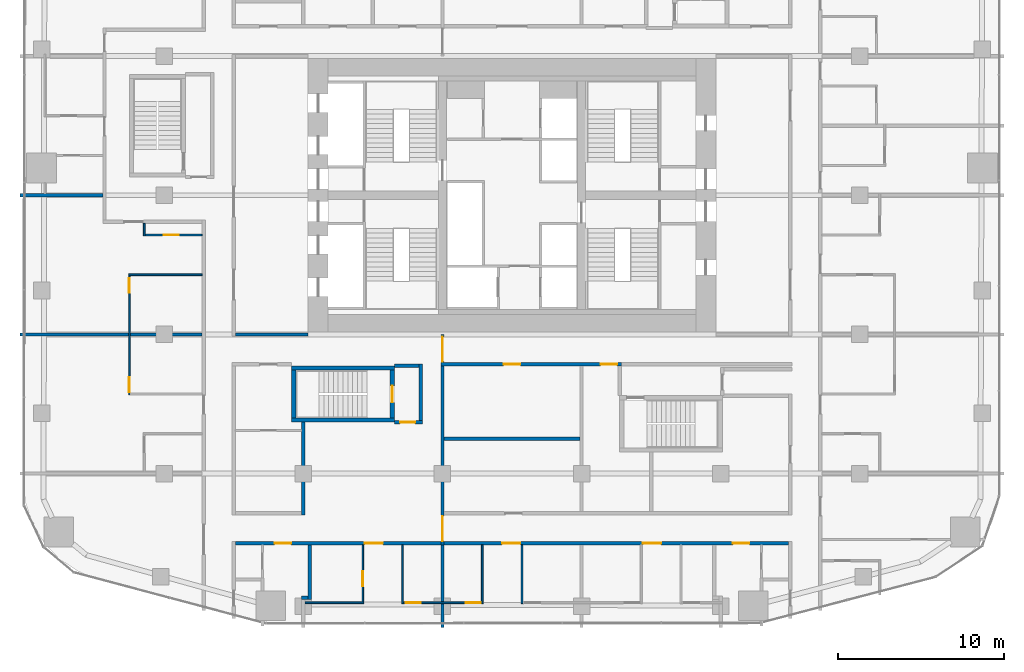
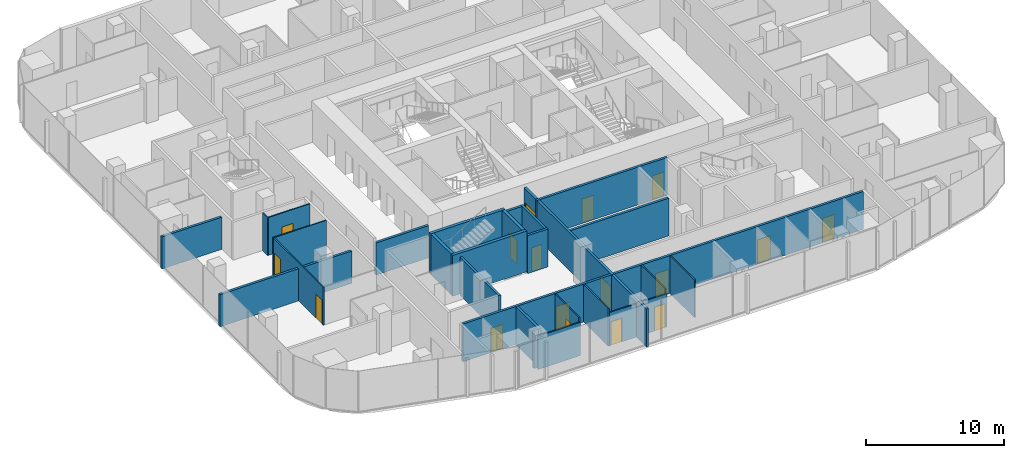
# One storey, part 16 of 25: 28 walls, 17 doors, 17 openings.
"""IFC4 building model written with IfcOpenShell, lengths in metres."""

from ifc_helpers import new_model, si_unit, direction, frame, frame_2d, origin, place, context, subcontext, project, spatial, rectangle, extrude, material, layer, layer_set, type_object, element, fill, save


model = new_model("IFC4")

# Units and contexts
model_context = context("Model", 3, precision=1e-05, world=origin(), true_north=direction((0.0, 1.0)))
body_context = subcontext(model_context, "Body", "Model", "MODEL_VIEW")
ifc_project = project(units=[si_unit("LENGTHUNIT", "METRE"), si_unit("AREAUNIT", "SQUARE_METRE"), si_unit("VOLUMEUNIT", "CUBIC_METRE"), si_unit("PLANEANGLEUNIT", "RADIAN"), si_unit("MASSUNIT", "GRAM", prefix="KILO")], contexts=[model_context])

# Site, building, storey
site_placement = place(None, origin())
site = spatial("IfcSite", under=ifc_project, at=site_placement, CompositionType="ELEMENT")
building_placement = place(site_placement, origin())
building = spatial("IfcBuilding", under=site, at=building_placement, Name="Marenta Gate Hotel Tower", CompositionType="ELEMENT")
storey_placement = place(building_placement, frame((0.0, 0.0, 50.89990234375)))
storey = spatial("IfcBuildingStorey", under=building, at=storey_placement, Name="L10", CompositionType="ELEMENT", Elevation=50.89990234375)

# Wall
ifc_material_1 = material(Name="Concrete blockwork", Category="masonry")
ifc_layer_1 = layer(ifc_material_1, 0.199951171875)
ifc_layer_set_1 = layer_set([ifc_layer_1], Name="Concrete blockwork")
wall_type_1 = type_object("IfcWallType", Name="Compartment wall 200 REI 180", PredefinedType="PARTITIONING", material=ifc_layer_set_1)
wall_1_placement = place(storey_placement, frame((-4.199951171875, -17.699951171875, 0.0), z_axis=(0.0, 0.0, 1.0), x_axis=(0.0, 1.0, 0.0)))
element("IfcWall", 1, at=wall_1_placement, inside=storey, type_object=wall_type_1, Name="L10-PTN-W068", PredefinedType="PARTITIONING", context=body_context, shape_type="SweptSolid", body=[
    extrude(rectangle(XDim=5.0, YDim=0.199951171875, at=frame_2d((2.5, 0.0))), origin(), (0.0, 0.0, 1.0), 3.340087890625),
])

# Wall, openings, doors
wall_2_placement = place(storey_placement, frame((-4.199951171875, -12.699951171875, 0.0), z_axis=(0.0, 0.0, 1.0), x_axis=(0.0, 1.0, 0.0)))
wall_2 = element("IfcWall", 2, at=wall_2_placement, inside=storey, type_object=wall_type_1, Name="L10-PTN-W071", PredefinedType="PARTITIONING", context=body_context, shape_type="SweptSolid", body=[
    extrude(rectangle(XDim=12.699951171875, YDim=0.199951171875, at=frame_2d((6.35009765625, 0.0))), origin(), (0.0, 0.0, 1.0), 3.340087890625),
])
opening_1_placement = place(wall_2_placement, frame((11.050048828125, 0.0, 0.0)))
opening_1 = element("IfcOpeningElement", 3, at=opening_1_placement, cuts=wall_2, Name="Opening G03-FD3", PredefinedType="OPENING", context=body_context, shape_type="SweptSolid", body=[
    extrude(rectangle(XDim=1.5, YDim=2.10009765625, at=frame_2d((0.75, 1.050048828125))), frame((0.0, 0.10009765625, 0.0), z_axis=(0.0, -1.0, 0.0), x_axis=(1.0, 0.0, 0.0)), (0.0, 0.0, 1.0), 0.199951171875),
])
opening_2_placement = place(wall_2_placement, frame((0.22509765625, 0.0, 0.0)))
opening_2 = element("IfcOpeningElement", 4, at=opening_2_placement, cuts=wall_2, Name="Opening G03-FD4", PredefinedType="OPENING", context=body_context, shape_type="SweptSolid", body=[
    extrude(rectangle(XDim=1.5, YDim=2.10009765625, at=frame_2d((0.75, 1.050048828125))), frame((0.0, 0.10009765625, 0.0), z_axis=(0.0, -1.0, 0.0), x_axis=(1.0, 0.0, 0.0)), (0.0, 0.0, 1.0), 0.199951171875),
])
ifc_material_2 = material(Name="Hollow steel door set", Category="steel")
door_type_1 = type_object("IfcDoorType", Name="Compartment fire door 1500x2100 EI 60", OperationType="DOUBLE_DOOR_DOUBLE_SWING", PredefinedType="DOOR", material=ifc_material_2)
door_1_placement = place(opening_1_placement, origin())
door_1 = element("IfcDoor", 5, at=door_1_placement, inside=storey, type_object=door_type_1, Name="L10-PD-FD03", OperationType="DOUBLE_DOOR_DOUBLE_SWING", OverallHeight=2.10009765625, OverallWidth=1.5, PredefinedType="DOOR", context=body_context, shape_type="SweptSolid", body=[
    extrude(rectangle(XDim=1.5, YDim=2.10009765625, at=frame_2d((0.75, 1.050048828125))), frame((0.0, 0.02490234375, 0.0), z_axis=(0.0, -1.0, 0.0), x_axis=(1.0, 0.0, 0.0)), (0.0, 0.0, 1.0), 0.050048828125),
])
fill(opening_1, door_1)
door_2_placement = place(opening_2_placement, origin())
door_2 = element("IfcDoor", 6, at=door_2_placement, inside=storey, type_object=door_type_1, Name="L10-PD-FD04", OperationType="DOUBLE_DOOR_DOUBLE_SWING", OverallHeight=2.10009765625, OverallWidth=1.5, PredefinedType="DOOR", context=body_context, shape_type="SweptSolid", body=[
    extrude(rectangle(XDim=1.5, YDim=2.10009765625, at=frame_2d((0.75, 1.050048828125))), frame((0.0, 0.02490234375, 0.0), z_axis=(0.0, -1.0, 0.0), x_axis=(1.0, 0.0, 0.0)), (0.0, 0.0, 1.0), 0.050048828125),
])
fill(opening_2, door_2)

# Walls
ifc_material_3 = material(Name="Concrete blockwork", Category="masonry")
ifc_layer_2 = layer(ifc_material_3, 0.199951171875)
ifc_layer_set_2 = layer_set([ifc_layer_2], Name="Concrete blockwork")
wall_type_2 = type_object("IfcWallType", Name="Core boundary wall 200 REI 180", PredefinedType="PARTITIONING", material=ifc_layer_set_2)
wall_3_placement = place(storey_placement, frame((-16.699951171875, 0.0, 0.0), z_axis=(0.0, 0.0, 1.0), x_axis=(1.0, 0.0, 0.0)))
element("IfcWall", 7, at=wall_3_placement, inside=storey, type_object=wall_type_2, Name="L10-CP-EW-WS", PredefinedType="PARTITIONING", context=body_context, shape_type="SweptSolid", body=[
    extrude(rectangle(XDim=4.39990234375, YDim=0.199951171875, at=frame_2d((2.199951171875, 0.0))), origin(), (0.0, 0.0, 1.0), 2.840087890625),
])
ifc_material_4 = material(Name="Concrete C40", Category="concrete")
ifc_layer_3 = layer(ifc_material_4, 0.25)
ifc_layer_set_3 = layer_set([ifc_layer_3], Name="Concrete C40")
wall_type_3 = type_object("IfcWallType", Name="Remote stair enclosure wall 250 REI 180", PredefinedType="SHEAR", material=ifc_layer_set_3)
for number, where, z_axis, x_axis, name in (
    (8, (-13.300048828125, -5.175048828125, 0.10009765625), (0.0, 0.0, 1.0), (1.0, 0.0, 0.0), "L10-RS-Z1-2-W1"),
    (9, (-13.300048828125, -2.02490234375, 0.10009765625), (0.0, 0.0, 1.0), (1.0, 0.0, 0.0), "L10-RS-Z1-2-W2"),
):
    element("IfcWall", number, at=place(storey_placement, frame(where, z_axis=z_axis, x_axis=x_axis)), inside=storey, type_object=wall_type_3, Name=name, PredefinedType="SHEAR", context=body_context, shape_type="SweptSolid", body=[
        extrude(rectangle(XDim=6.199951171875, YDim=0.25, at=frame_2d((3.10009765625, 0.0))), origin(), (0.0, 0.0, 1.0), 3.60009765625),
    ])
wall_4_placement = place(storey_placement, frame((-13.175048828125, -5.050048828125, 0.10009765625), z_axis=(0.0, 0.0, 1.0), x_axis=(0.0, 1.0, 0.0)))
element("IfcWall", 10, at=wall_4_placement, inside=storey, type_object=wall_type_3, Name="L10-RS-Z1-2-W3", PredefinedType="SHEAR", context=body_context, shape_type="SweptSolid", body=[
    extrude(rectangle(XDim=2.900146484375, YDim=0.25, at=frame_2d((1.4501953125, 0.0))), origin(), (0.0, 0.0, 1.0), 3.60009765625),
])

# Wall, opening, door
wall_5_placement = place(storey_placement, frame((-7.22509765625, -5.050048828125, 0.10009765625), z_axis=(0.0, 0.0, 1.0), x_axis=(0.0, 1.0, 0.0)))
wall_5 = element("IfcWall", 11, at=wall_5_placement, inside=storey, type_object=wall_type_3, Name="L10-RS-Z1-2-W4", PredefinedType="SHEAR", context=body_context, shape_type="SweptSolid", body=[
    extrude(rectangle(XDim=2.900146484375, YDim=0.25, at=frame_2d((1.4501953125, 0.0))), origin(), (0.0, 0.0, 1.0), 3.60009765625),
])
opening_3_placement = place(wall_5_placement, frame((0.949951171875, 0.0, 0.0)))
opening_3 = element("IfcOpeningElement", 12, at=opening_3_placement, cuts=wall_5, Name="Opening VD", PredefinedType="OPENING", context=body_context, shape_type="SweptSolid", body=[
    extrude(rectangle(XDim=1.0, YDim=2.10009765625, at=frame_2d((0.5, 1.050048828125))), frame((0.0, 0.125, 0.0), z_axis=(0.0, -1.0, 0.0), x_axis=(1.0, 0.0, 0.0)), (0.0, 0.0, 1.0), 0.25),
])
ifc_material_5 = material(Name="Steel", Category="steel")
door_type_2 = type_object("IfcDoorType", Name="Stair vestibule door 1000x2100 FD60", OperationType="SINGLE_SWING_LEFT", PredefinedType="DOOR", material=ifc_material_5)
door_3_placement = place(opening_3_placement, origin())
door_3 = element("IfcDoor", 13, at=door_3_placement, inside=storey, type_object=door_type_2, Name="VD", OperationType="SINGLE_SWING_LEFT", OverallHeight=2.10009765625, OverallWidth=1.0, PredefinedType="DOOR", context=body_context, shape_type="SweptSolid", body=[
    extrude(rectangle(XDim=1.0, YDim=2.10009765625, at=frame_2d((0.5, 1.050048828125))), frame((0.0, 0.02490234375, 0.0), z_axis=(0.0, -1.0, 0.0), x_axis=(1.0, 0.0, 0.0)), (0.0, 0.0, 1.0), 0.050048828125),
])
fill(opening_3, door_3)

# Wall, openings, doors
ifc_material_6 = material(Name="Gypsum board on steel stud", Category="steel")
ifc_layer_4 = layer(ifc_material_6, 0.199951171875)
ifc_layer_set_4 = layer_set([ifc_layer_4], Name="Gypsum board on steel stud")
wall_type_4 = type_object("IfcWallType", Name="Room corridor wall 200 EI 60", PredefinedType="PARTITIONING", material=ifc_layer_set_4)
wall_6_placement = place(storey_placement, frame((-16.699951171875, -12.60009765625, 0.0), z_axis=(0.0, 0.0, 1.0), x_axis=(1.0, 0.0, 0.0)))
wall_6 = element("IfcWall", 14, at=wall_6_placement, inside=storey, type_object=wall_type_4, Name="L10-PTN-W028", PredefinedType="PARTITIONING", context=body_context, shape_type="SweptSolid", body=[
    extrude(rectangle(XDim=33.39990234375, YDim=0.199951171875, at=frame_2d((16.699951171875, 0.0))), origin(), (0.0, 0.0, 1.0), 3.340087890625),
])
opening_4_placement = place(wall_6_placement, frame((7.800048828125, 0.0, 0.0)))
opening_4 = element("IfcOpeningElement", 15, at=opening_4_placement, cuts=wall_6, Name="Opening G03-36", PredefinedType="OPENING", context=body_context, shape_type="SweptSolid", body=[
    extrude(rectangle(XDim=1.10009765625, YDim=2.10009765625, at=frame_2d((0.550048828125, 1.050048828125))), frame((0.0, 0.10009765625, 0.0), z_axis=(0.0, -1.0, 0.0), x_axis=(1.0, 0.0, 0.0)), (0.0, 0.0, 1.0), 0.199951171875),
])
opening_5_placement = place(wall_6_placement, frame((16.10009765625, 0.0, 0.0)))
opening_5 = element("IfcOpeningElement", 16, at=opening_5_placement, cuts=wall_6, Name="Opening G03-39", PredefinedType="OPENING", context=body_context, shape_type="SweptSolid", body=[
    extrude(rectangle(XDim=1.10009765625, YDim=2.10009765625, at=frame_2d((0.550048828125, 1.050048828125))), frame((0.0, 0.10009765625, 0.0), z_axis=(0.0, -1.0, 0.0), x_axis=(1.0, 0.0, 0.0)), (0.0, 0.0, 1.0), 0.199951171875),
])
opening_6_placement = place(wall_6_placement, frame((24.60009765625, 0.0, 0.0)))
opening_6 = element("IfcOpeningElement", 17, at=opening_6_placement, cuts=wall_6, Name="Opening G03-42", PredefinedType="OPENING", context=body_context, shape_type="SweptSolid", body=[
    extrude(rectangle(XDim=1.10009765625, YDim=2.10009765625, at=frame_2d((0.550048828125, 1.050048828125))), frame((0.0, 0.10009765625, 0.0), z_axis=(0.0, -1.0, 0.0), x_axis=(1.0, 0.0, 0.0)), (0.0, 0.0, 1.0), 0.199951171875),
])
opening_7_placement = place(wall_6_placement, frame((2.366943359375, 0.0, 0.0)))
opening_7 = element("IfcOpeningElement", 18, at=opening_7_placement, cuts=wall_6, Name="Opening G03-70", PredefinedType="OPENING", context=body_context, shape_type="SweptSolid", body=[
    extrude(rectangle(XDim=1.0, YDim=2.10009765625, at=frame_2d((0.5, 1.050048828125))), frame((0.0, 0.10009765625, 0.0), z_axis=(0.0, -1.0, 0.0), x_axis=(1.0, 0.0, 0.0)), (0.0, 0.0, 1.0), 0.199951171875),
])
opening_8_placement = place(wall_6_placement, frame((30.032958984375, 0.0, 0.0)))
opening_8 = element("IfcOpeningElement", 19, at=opening_8_placement, cuts=wall_6, Name="Opening G03-73", PredefinedType="OPENING", context=body_context, shape_type="SweptSolid", body=[
    extrude(rectangle(XDim=1.0, YDim=2.10009765625, at=frame_2d((0.5, 1.050048828125))), frame((0.0, 0.10009765625, 0.0), z_axis=(0.0, -1.0, 0.0), x_axis=(1.0, 0.0, 0.0)), (0.0, 0.0, 1.0), 0.199951171875),
])
ifc_material_7 = material(Name="Timber door leaf", Category="wood")
door_type_3 = type_object("IfcDoorType", Name="Guest room door 1000x2100 EI 30", OperationType="NOTDEFINED", PredefinedType="DOOR", material=ifc_material_7)
door_4_placement = place(opening_7_placement, origin())
door_4 = element("IfcDoor", 20, at=door_4_placement, inside=storey, type_object=door_type_3, Name="L10-PD-D070", OperationType="SINGLE_SWING_RIGHT", OverallHeight=2.10009765625, OverallWidth=1.0, PredefinedType="DOOR", context=body_context, shape_type="SweptSolid", body=[
    extrude(rectangle(XDim=1.0, YDim=2.10009765625, at=frame_2d((0.5, 1.050048828125))), frame((0.0, 0.02490234375, 0.0), z_axis=(0.0, -1.0, 0.0), x_axis=(1.0, 0.0, 0.0)), (0.0, 0.0, 1.0), 0.050048828125),
])
fill(opening_7, door_4)
door_5_placement = place(opening_8_placement, origin())
door_5 = element("IfcDoor", 21, at=door_5_placement, inside=storey, type_object=door_type_3, Name="L10-PD-D073", OperationType="SINGLE_SWING_LEFT", OverallHeight=2.10009765625, OverallWidth=1.0, PredefinedType="DOOR", context=body_context, shape_type="SweptSolid", body=[
    extrude(rectangle(XDim=1.0, YDim=2.10009765625, at=frame_2d((0.5, 1.050048828125))), frame((0.0, 0.02490234375, 0.0), z_axis=(0.0, -1.0, 0.0), x_axis=(1.0, 0.0, 0.0)), (0.0, 0.0, 1.0), 0.050048828125),
])
fill(opening_8, door_5)
ifc_material_8 = material(Name="Timber door leaf", Category="wood")
door_type_4 = type_object("IfcDoorType", Name="Guest room door 1100x2100 EI 30", OperationType="NOTDEFINED", PredefinedType="DOOR", material=ifc_material_8)
door_6_placement = place(opening_4_placement, origin())
door_6 = element("IfcDoor", 22, at=door_6_placement, inside=storey, type_object=door_type_4, Name="L10-PD-D036", OperationType="SINGLE_SWING_RIGHT", OverallHeight=2.10009765625, OverallWidth=1.10009765625, PredefinedType="DOOR", context=body_context, shape_type="SweptSolid", body=[
    extrude(rectangle(XDim=1.10009765625, YDim=2.10009765625, at=frame_2d((0.550048828125, 1.050048828125))), frame((0.0, 0.02490234375, 0.0), z_axis=(0.0, -1.0, 0.0), x_axis=(1.0, 0.0, 0.0)), (0.0, 0.0, 1.0), 0.050048828125),
])
fill(opening_4, door_6)
door_7_placement = place(opening_5_placement, origin())
door_7 = element("IfcDoor", 23, at=door_7_placement, inside=storey, type_object=door_type_4, Name="L10-PD-D039", OperationType="SINGLE_SWING_LEFT", OverallHeight=2.10009765625, OverallWidth=1.10009765625, PredefinedType="DOOR", context=body_context, shape_type="SweptSolid", body=[
    extrude(rectangle(XDim=1.10009765625, YDim=2.10009765625, at=frame_2d((0.550048828125, 1.050048828125))), frame((0.0, 0.02490234375, 0.0), z_axis=(0.0, -1.0, 0.0), x_axis=(1.0, 0.0, 0.0)), (0.0, 0.0, 1.0), 0.050048828125),
])
fill(opening_5, door_7)
door_8_placement = place(opening_6_placement, origin())
door_8 = element("IfcDoor", 24, at=door_8_placement, inside=storey, type_object=door_type_4, Name="L10-PD-D042", OperationType="SINGLE_SWING_RIGHT", OverallHeight=2.10009765625, OverallWidth=1.10009765625, PredefinedType="DOOR", context=body_context, shape_type="SweptSolid", body=[
    extrude(rectangle(XDim=1.10009765625, YDim=2.10009765625, at=frame_2d((0.550048828125, 1.050048828125))), frame((0.0, 0.02490234375, 0.0), z_axis=(0.0, -1.0, 0.0), x_axis=(1.0, 0.0, 0.0)), (0.0, 0.0, 1.0), 0.050048828125),
])
fill(opening_6, door_8)

wall_7_placement = place(storey_placement, frame((-4.300048828125, -1.800048828125, 0.0), z_axis=(0.0, 0.0, 1.0), x_axis=(1.0, 0.0, 0.0)))
wall_7 = element("IfcWall", 25, at=wall_7_placement, inside=storey, type_object=wall_type_4, Name="L10-PTN-W058", PredefinedType="PARTITIONING", context=body_context, shape_type="SweptSolid", body=[
    extrude(rectangle(XDim=10.900146484375, YDim=0.199951171875, at=frame_2d((5.4501953125, 0.0))), origin(), (0.0, 0.0, 1.0), 3.340087890625),
])
opening_9_placement = place(wall_7_placement, frame((9.64990234375, 0.0, 0.0)))
opening_9 = element("IfcOpeningElement", 26, at=opening_9_placement, cuts=wall_7, Name="Opening G03-06", PredefinedType="OPENING", context=body_context, shape_type="SweptSolid", body=[
    extrude(rectangle(XDim=1.0, YDim=2.10009765625, at=frame_2d((0.5, 1.050048828125))), frame((0.0, 0.10009765625, 0.0), z_axis=(0.0, -1.0, 0.0), x_axis=(1.0, 0.0, 0.0)), (0.0, 0.0, 1.0), 0.199951171875),
])
opening_10_placement = place(wall_7_placement, frame((3.800048828125, 0.0, 0.0)))
opening_10 = element("IfcOpeningElement", 27, at=opening_10_placement, cuts=wall_7, Name="Opening G03-67", PredefinedType="OPENING", context=body_context, shape_type="SweptSolid", body=[
    extrude(rectangle(XDim=1.0, YDim=2.10009765625, at=frame_2d((0.5, 1.050048828125))), frame((0.0, 0.10009765625, 0.0), z_axis=(0.0, -1.0, 0.0), x_axis=(1.0, 0.0, 0.0)), (0.0, 0.0, 1.0), 0.199951171875),
])
ifc_material_9 = material(Name="Timber door leaf", Category="wood")
door_type_5 = type_object("IfcDoorType", Name="Room amenity door 1000x2100 EI 30", OperationType="NOTDEFINED", PredefinedType="DOOR", material=ifc_material_9)
door_9_placement = place(opening_9_placement, origin())
door_9 = element("IfcDoor", 28, at=door_9_placement, inside=storey, type_object=door_type_5, Name="L10-PD-D006", OperationType="SINGLE_SWING_LEFT", OverallHeight=2.10009765625, OverallWidth=1.0, PredefinedType="DOOR", context=body_context, shape_type="SweptSolid", body=[
    extrude(rectangle(XDim=1.0, YDim=2.10009765625, at=frame_2d((0.5, 1.050048828125))), frame((0.0, 0.02490234375, 0.0), z_axis=(0.0, -1.0, 0.0), x_axis=(1.0, 0.0, 0.0)), (0.0, 0.0, 1.0), 0.050048828125),
])
fill(opening_9, door_9)
door_10_placement = place(opening_10_placement, origin())
door_10 = element("IfcDoor", 29, at=door_10_placement, inside=storey, type_object=door_type_5, Name="L10-PD-D067", OperationType="SINGLE_SWING_LEFT", OverallHeight=2.10009765625, OverallWidth=1.0, PredefinedType="DOOR", context=body_context, shape_type="SweptSolid", body=[
    extrude(rectangle(XDim=1.0, YDim=2.10009765625, at=frame_2d((0.5, 1.050048828125))), frame((0.0, 0.02490234375, 0.0), z_axis=(0.0, -1.0, 0.0), x_axis=(1.0, 0.0, 0.0)), (0.0, 0.0, 1.0), 0.050048828125),
])
fill(opening_10, door_10)

# Wall
wall_8_placement = place(storey_placement, frame((-12.60009765625, -10.89990234375, 0.0), z_axis=(0.0, 0.0, 1.0), x_axis=(0.0, 1.0, 0.0)))
element("IfcWall", 30, at=wall_8_placement, inside=storey, type_object=wall_type_4, Name="L10-PTN-W090", PredefinedType="PARTITIONING", context=body_context, shape_type="SweptSolid", body=[
    extrude(rectangle(XDim=5.599853515625, YDim=0.199951171875, at=frame_2d((2.7998046875, 0.0))), origin(), (0.0, 0.0, 1.0), 3.340087890625),
])

# Wall, opening, door
ifc_material_10 = material(Name="Concrete blockwork", Category="masonry")
ifc_layer_5 = layer(ifc_material_10, 0.199951171875)
ifc_layer_set_5 = layer_set([ifc_layer_5], Name="Concrete blockwork")
wall_type_5 = type_object("IfcWallType", Name="Room corridor wall 200 REI 180", PredefinedType="PARTITIONING", material=ifc_layer_set_5)
wall_9_placement = place(storey_placement, frame((-7.10009765625, -5.300048828125, 0.0), z_axis=(0.0, 0.0, 1.0), x_axis=(1.0, 0.0, 0.0)))
wall_9 = element("IfcWall", 31, at=wall_9_placement, inside=storey, type_object=wall_type_5, Name="L10-PTN-W046", PredefinedType="PARTITIONING", context=body_context, shape_type="SweptSolid", body=[
    extrude(rectangle(XDim=1.7001953125, YDim=0.199951171875, at=frame_2d((0.85009765625, 0.0))), origin(), (0.0, 0.0, 1.0), 3.340087890625),
])
opening_11_placement = place(wall_9_placement, frame((0.35009765625, 0.0, 0.0)))
opening_11 = element("IfcOpeningElement", 32, at=opening_11_placement, cuts=wall_9, Name="Opening G03-59", PredefinedType="OPENING", context=body_context, shape_type="SweptSolid", body=[
    extrude(rectangle(XDim=0.89990234375, YDim=2.10009765625, at=frame_2d((0.449951171875, 1.050048828125))), frame((0.0, 0.10009765625, 0.0), z_axis=(0.0, -1.0, 0.0), x_axis=(1.0, 0.0, 0.0)), (0.0, 0.0, 1.0), 0.199951171875),
])
ifc_material_11 = material(Name="Hollow steel door set", Category="steel")
door_type_6 = type_object("IfcDoorType", Name="Stair vestibule door 900x2100 EI 60", OperationType="NOTDEFINED", PredefinedType="DOOR", material=ifc_material_11)
door_11_placement = place(opening_11_placement, origin())
door_11 = element("IfcDoor", 33, at=door_11_placement, inside=storey, type_object=door_type_6, Name="L10-PD-D059", OperationType="SINGLE_SWING_RIGHT", OverallHeight=2.10009765625, OverallWidth=0.89990234375, PredefinedType="DOOR", context=body_context, shape_type="SweptSolid", body=[
    extrude(rectangle(XDim=0.89990234375, YDim=2.10009765625, at=frame_2d((0.449951171875, 1.050048828125))), frame((0.0, 0.02490234375, 0.0), z_axis=(0.0, -1.0, 0.0), x_axis=(1.0, 0.0, 0.0)), (0.0, 0.0, 1.0), 0.050048828125),
])
fill(opening_11, door_11)

# Walls
wall_10_placement = place(storey_placement, frame((-7.10009765625, -1.89990234375, 0.0), z_axis=(0.0, 0.0, 1.0), x_axis=(1.0, 0.0, 0.0)))
element("IfcWall", 34, at=wall_10_placement, inside=storey, type_object=wall_type_5, Name="L10-PTN-W055", PredefinedType="PARTITIONING", context=body_context, shape_type="SweptSolid", body=[
    extrude(rectangle(XDim=1.5, YDim=0.199951171875, at=frame_2d((0.75, 0.0))), origin(), (0.0, 0.0, 1.0), 3.340087890625),
])
wall_11_placement = place(storey_placement, frame((-5.5, -5.199951171875, 0.0), z_axis=(0.0, 0.0, 1.0), x_axis=(0.0, 1.0, 0.0)))
element("IfcWall", 35, at=wall_11_placement, inside=storey, type_object=wall_type_5, Name="L10-PTN-W072", PredefinedType="PARTITIONING", context=body_context, shape_type="SweptSolid", body=[
    extrude(rectangle(XDim=3.39990234375, YDim=0.199951171875, at=frame_2d((1.699951171875, 0.0))), origin(), (0.0, 0.0, 1.0), 3.340087890625),
])
ifc_material_12 = material(Name="Gypsum board on steel stud", Category="steel")
ifc_layer_6 = layer(ifc_material_12, 0.10009765625)
ifc_layer_set_6 = layer_set([ifc_layer_6], Name="Gypsum board on steel stud")
wall_type_6 = type_object("IfcWallType", Name="Room partition 100", PredefinedType="PARTITIONING", material=ifc_layer_set_6)
wall_12_placement = place(storey_placement, frame((-12.5, -16.199951171875, 0.0), z_axis=(0.0, 0.0, 1.0), x_axis=(1.0, 0.0, 0.0)))
element("IfcWall", 36, at=wall_12_placement, inside=storey, type_object=wall_type_6, Name="L10-PTN-W015", PredefinedType="PARTITIONING", context=body_context, shape_type="SweptSolid", body=[
    extrude(rectangle(XDim=3.550048828125, YDim=0.10009765625, at=frame_2d((1.77490234375, 0.0))), origin(), (0.0, 0.0, 1.0), 2.940185546875),
])

# Wall, openings, doors
wall_13_placement = place(storey_placement, frame((-6.550048828125, -16.199951171875, 0.0), z_axis=(0.0, 0.0, 1.0), x_axis=(1.0, 0.0, 0.0)))
wall_13 = element("IfcWall", 37, at=wall_13_placement, inside=storey, type_object=wall_type_6, Name="L10-PTN-W016", PredefinedType="PARTITIONING", context=body_context, shape_type="SweptSolid", body=[
    extrude(rectangle(XDim=4.800048828125, YDim=0.10009765625, at=frame_2d((2.39990234375, 0.0))), origin(), (0.0, 0.0, 1.0), 2.940185546875),
])
opening_12_placement = place(wall_13_placement, frame((0.14990234375, 0.0, 0.0)))
opening_12 = element("IfcOpeningElement", 38, at=opening_12_placement, cuts=wall_13, Name="Opening G03-38", PredefinedType="OPENING", context=body_context, shape_type="SweptSolid", body=[
    extrude(rectangle(XDim=0.89990234375, YDim=2.10009765625, at=frame_2d((0.449951171875, 1.050048828125))), frame((0.0, 0.050048828125, 0.0), z_axis=(0.0, -1.0, 0.0), x_axis=(1.0, 0.0, 0.0)), (0.0, 0.0, 1.0), 0.10009765625),
])
opening_13_placement = place(wall_13_placement, frame((3.75, 0.0, 0.0)))
opening_13 = element("IfcOpeningElement", 39, at=opening_13_placement, cuts=wall_13, Name="Opening G03-41", PredefinedType="OPENING", context=body_context, shape_type="SweptSolid", body=[
    extrude(rectangle(XDim=0.89990234375, YDim=2.10009765625, at=frame_2d((0.449951171875, 1.050048828125))), frame((0.0, 0.050048828125, 0.0), z_axis=(0.0, -1.0, 0.0), x_axis=(1.0, 0.0, 0.0)), (0.0, 0.0, 1.0), 0.10009765625),
])
ifc_material_13 = material(Name="Timber door leaf", Category="wood")
door_type_7 = type_object("IfcDoorType", Name="Room inner door 900x2100", OperationType="NOTDEFINED", PredefinedType="DOOR", material=ifc_material_13)
door_12_placement = place(opening_12_placement, origin())
door_12 = element("IfcDoor", 40, at=door_12_placement, inside=storey, type_object=door_type_7, Name="L10-PD-D038", OperationType="SINGLE_SWING_LEFT", OverallHeight=2.10009765625, OverallWidth=0.89990234375, PredefinedType="DOOR", context=body_context, shape_type="SweptSolid", body=[
    extrude(rectangle(XDim=0.89990234375, YDim=2.10009765625, at=frame_2d((0.449951171875, 1.050048828125))), frame((0.0, 0.02490234375, 0.0), z_axis=(0.0, -1.0, 0.0), x_axis=(1.0, 0.0, 0.0)), (0.0, 0.0, 1.0), 0.050048828125),
])
fill(opening_12, door_12)
door_13_placement = place(opening_13_placement, origin())
door_13 = element("IfcDoor", 41, at=door_13_placement, inside=storey, type_object=door_type_7, Name="L10-PD-D041", OperationType="SINGLE_SWING_RIGHT", OverallHeight=2.10009765625, OverallWidth=0.89990234375, PredefinedType="DOOR", context=body_context, shape_type="SweptSolid", body=[
    extrude(rectangle(XDim=0.89990234375, YDim=2.10009765625, at=frame_2d((0.449951171875, 1.050048828125))), frame((0.0, 0.02490234375, 0.0), z_axis=(0.0, -1.0, 0.0), x_axis=(1.0, 0.0, 0.0)), (0.0, 0.0, 1.0), 0.050048828125),
])
fill(opening_13, door_13)

# Walls
wall_14_placement = place(storey_placement, frame((0.60009765625, -16.25, 0.0), z_axis=(0.0, 0.0, 1.0), x_axis=(0.0, 1.0, 0.0)))
element("IfcWall", 42, at=wall_14_placement, inside=storey, type_object=wall_type_6, Name="L10-PTN-W060", PredefinedType="PARTITIONING", context=body_context, shape_type="SweptSolid", body=[
    extrude(rectangle(XDim=3.550048828125, YDim=0.10009765625, at=frame_2d((1.77490234375, 0.0))), origin(), (0.0, 0.0, 1.0), 3.340087890625),
])
wall_15_placement = place(storey_placement, frame((-1.800048828125, -16.14990234375, 0.0), z_axis=(0.0, 0.0, 1.0), x_axis=(0.0, 1.0, 0.0)))
element("IfcWall", 43, at=wall_15_placement, inside=storey, type_object=wall_type_6, Name="L10-PTN-W064", PredefinedType="PARTITIONING", context=body_context, shape_type="SweptSolid", body=[
    extrude(rectangle(XDim=3.449951171875, YDim=0.10009765625, at=frame_2d((1.72509765625, 0.0))), origin(), (0.0, 0.0, 1.0), 3.340087890625),
])
wall_16_placement = place(storey_placement, frame((-23.14990234375, 3.60009765625, 0.0), z_axis=(0.0, 0.0, 1.0), x_axis=(1.0, 0.0, 0.0)))
element("IfcWall", 44, at=wall_16_placement, inside=storey, type_object=wall_type_6, Name="L10-PTN-W066", PredefinedType="PARTITIONING", context=body_context, shape_type="SweptSolid", body=[
    extrude(rectangle(XDim=4.449951171875, YDim=0.10009765625, at=frame_2d((2.22509765625, 0.0))), origin(), (0.0, 0.0, 1.0), 3.340087890625),
])

# Wall, opening, door
wall_17_placement = place(storey_placement, frame((-22.14990234375, 6.0, 0.0), z_axis=(0.0, 0.0, 1.0), x_axis=(1.0, 0.0, 0.0)))
wall_17 = element("IfcWall", 45, at=wall_17_placement, inside=storey, type_object=wall_type_6, Name="L10-PTN-W073", PredefinedType="PARTITIONING", context=body_context, shape_type="SweptSolid", body=[
    extrude(rectangle(XDim=3.449951171875, YDim=0.10009765625, at=frame_2d((1.72509765625, 0.0))), origin(), (0.0, 0.0, 1.0), 3.340087890625),
])
opening_14_placement = place(wall_17_placement, frame((1.1201171875, 0.0, 0.0)))
opening_14 = element("IfcOpeningElement", 46, at=opening_14_placement, cuts=wall_17, Name="Opening G03-51", PredefinedType="OPENING", context=body_context, shape_type="SweptSolid", body=[
    extrude(rectangle(XDim=0.89990234375, YDim=2.10009765625, at=frame_2d((0.449951171875, 1.050048828125))), frame((0.0, 0.050048828125, 0.0), z_axis=(0.0, -1.0, 0.0), x_axis=(1.0, 0.0, 0.0)), (0.0, 0.0, 1.0), 0.10009765625),
])
door_14_placement = place(opening_14_placement, origin())
door_14 = element("IfcDoor", 47, at=door_14_placement, inside=storey, type_object=door_type_7, Name="L10-PD-D051", OperationType="SINGLE_SWING_RIGHT", OverallHeight=2.10009765625, OverallWidth=0.89990234375, PredefinedType="DOOR", context=body_context, shape_type="SweptSolid", body=[
    extrude(rectangle(XDim=0.89990234375, YDim=2.10009765625, at=frame_2d((0.449951171875, 1.050048828125))), frame((0.0, 0.02490234375, 0.0), z_axis=(0.0, -1.0, 0.0), x_axis=(1.0, 0.0, 0.0)), (0.0, 0.0, 1.0), 0.050048828125),
])
fill(opening_14, door_14)

# Wall
wall_18_placement = place(storey_placement, frame((-6.60009765625, -16.25, 0.0), z_axis=(0.0, 0.0, 1.0), x_axis=(0.0, 1.0, 0.0)))
element("IfcWall", 48, at=wall_18_placement, inside=storey, type_object=wall_type_6, Name="L10-PTN-W075", PredefinedType="PARTITIONING", context=body_context, shape_type="SweptSolid", body=[
    extrude(rectangle(XDim=3.550048828125, YDim=0.10009765625, at=frame_2d((1.77490234375, 0.0))), origin(), (0.0, 0.0, 1.0), 3.340087890625),
])

# Wall, opening, door
wall_19_placement = place(storey_placement, frame((-9.0, -16.14990234375, 0.0), z_axis=(0.0, 0.0, 1.0), x_axis=(0.0, 1.0, 0.0)))
wall_19 = element("IfcWall", 49, at=wall_19_placement, inside=storey, type_object=wall_type_6, Name="L10-PTN-W081", PredefinedType="PARTITIONING", context=body_context, shape_type="SweptSolid", body=[
    extrude(rectangle(XDim=3.449951171875, YDim=0.10009765625, at=frame_2d((1.72509765625, 0.0))), origin(), (0.0, 0.0, 1.0), 3.340087890625),
])
opening_15_placement = place(wall_19_placement, frame((0.93994140625, 0.0, 0.0)))
opening_15 = element("IfcOpeningElement", 50, at=opening_15_placement, cuts=wall_19, Name="Opening G03-37", PredefinedType="OPENING", context=body_context, shape_type="SweptSolid", body=[
    extrude(rectangle(XDim=0.89990234375, YDim=2.10009765625, at=frame_2d((0.449951171875, 1.050048828125))), frame((0.0, 0.050048828125, 0.0), z_axis=(0.0, -1.0, 0.0), x_axis=(1.0, 0.0, 0.0)), (0.0, 0.0, 1.0), 0.10009765625),
])
ifc_material_14 = material(Name="Timber door leaf", Category="wood")
door_type_8 = type_object("IfcDoorType", Name="Guest bathroom door 900x2100", OperationType="NOTDEFINED", PredefinedType="DOOR", material=ifc_material_14)
door_15_placement = place(opening_15_placement, origin())
door_15 = element("IfcDoor", 51, at=door_15_placement, inside=storey, type_object=door_type_8, Name="L10-PD-D037", OperationType="SINGLE_SWING_LEFT", OverallHeight=2.10009765625, OverallWidth=0.89990234375, PredefinedType="DOOR", context=body_context, shape_type="SweptSolid", body=[
    extrude(rectangle(XDim=0.89990234375, YDim=2.10009765625, at=frame_2d((0.449951171875, 1.050048828125))), frame((0.0, 0.02490234375, 0.0), z_axis=(0.0, -1.0, 0.0), x_axis=(1.0, 0.0, 0.0)), (0.0, 0.0, 1.0), 0.050048828125),
])
fill(opening_15, door_15)

# Wall
wall_20_placement = place(storey_placement, frame((-22.199951171875, 5.949951171875, 0.0), z_axis=(0.0, 0.0, 1.0), x_axis=(0.0, 1.0, 0.0)))
element("IfcWall", 52, at=wall_20_placement, inside=storey, type_object=wall_type_6, Name="L10-PTN-W118", PredefinedType="PARTITIONING", context=body_context, shape_type="SweptSolid", body=[
    extrude(rectangle(XDim=0.75, YDim=0.10009765625, at=frame_2d((0.375, 0.0))), origin(), (0.0, 0.0, 1.0), 3.340087890625),
])

# Wall, openings, doors
wall_21_placement = place(storey_placement, frame((-23.10009765625, -3.64990234375, 0.0), z_axis=(0.0, 0.0, 1.0), x_axis=(0.0, 1.0, 0.0)))
wall_21 = element("IfcWall", 53, at=wall_21_placement, inside=storey, type_object=wall_type_6, Name="L10-PTN-W121", PredefinedType="PARTITIONING", context=body_context, shape_type="SweptSolid", body=[
    extrude(rectangle(XDim=7.199951171875, YDim=0.10009765625, at=frame_2d((3.60009765625, 0.0))), origin(), (0.0, 0.0, 1.0), 3.340087890625),
])
opening_16_placement = place(wall_21_placement, frame((0.14990234375, 0.0, 0.0)))
opening_16 = element("IfcOpeningElement", 54, at=opening_16_placement, cuts=wall_21, Name="Opening G03-47", PredefinedType="OPENING", context=body_context, shape_type="SweptSolid", body=[
    extrude(rectangle(XDim=0.89990234375, YDim=2.10009765625, at=frame_2d((0.449951171875, 1.050048828125))), frame((0.0, 0.050048828125, 0.0), z_axis=(0.0, -1.0, 0.0), x_axis=(1.0, 0.0, 0.0)), (0.0, 0.0, 1.0), 0.10009765625),
])
opening_17_placement = place(wall_21_placement, frame((6.14990234375, 0.0, 0.0)))
opening_17 = element("IfcOpeningElement", 55, at=opening_17_placement, cuts=wall_21, Name="Opening G03-50", PredefinedType="OPENING", context=body_context, shape_type="SweptSolid", body=[
    extrude(rectangle(XDim=0.89990234375, YDim=2.10009765625, at=frame_2d((0.449951171875, 1.050048828125))), frame((0.0, 0.050048828125, 0.0), z_axis=(0.0, -1.0, 0.0), x_axis=(1.0, 0.0, 0.0)), (0.0, 0.0, 1.0), 0.10009765625),
])
door_16_placement = place(opening_16_placement, origin())
door_16 = element("IfcDoor", 56, at=door_16_placement, inside=storey, type_object=door_type_8, Name="L10-PD-D047", OperationType="SINGLE_SWING_RIGHT", OverallHeight=2.10009765625, OverallWidth=0.89990234375, PredefinedType="DOOR", context=body_context, shape_type="SweptSolid", body=[
    extrude(rectangle(XDim=0.89990234375, YDim=2.10009765625, at=frame_2d((0.449951171875, 1.050048828125))), frame((0.0, 0.02490234375, 0.0), z_axis=(0.0, -1.0, 0.0), x_axis=(1.0, 0.0, 0.0)), (0.0, 0.0, 1.0), 0.050048828125),
])
fill(opening_16, door_16)
door_17_placement = place(opening_17_placement, origin())
door_17 = element("IfcDoor", 57, at=door_17_placement, inside=storey, type_object=door_type_8, Name="L10-PD-D050", OperationType="SINGLE_SWING_LEFT", OverallHeight=2.10009765625, OverallWidth=0.89990234375, PredefinedType="DOOR", context=body_context, shape_type="SweptSolid", body=[
    extrude(rectangle(XDim=0.89990234375, YDim=2.10009765625, at=frame_2d((0.449951171875, 1.050048828125))), frame((0.0, 0.02490234375, 0.0), z_axis=(0.0, -1.0, 0.0), x_axis=(1.0, 0.0, 0.0)), (0.0, 0.0, 1.0), 0.050048828125),
])
fill(opening_17, door_17)

# Walls
ifc_material_15 = material(Name="Gypsum board on steel stud", Category="steel")
ifc_layer_7 = layer(ifc_material_15, 0.199951171875)
ifc_layer_set_7 = layer_set([ifc_layer_7], Name="Gypsum board on steel stud")
wall_type_7 = type_object("IfcWallType", Name="Room party wall 200 EI 60", PredefinedType="PARTITIONING", material=ifc_layer_set_7)
wall_22_placement = place(storey_placement, frame((-12.699951171875, -15.89990234375, 0.0), z_axis=(0.0, 0.0, 1.0), x_axis=(1.0, 0.0, 0.0)))
element("IfcWall", 58, at=wall_22_placement, inside=storey, type_object=wall_type_7, Name="L10-PTN-W019", PredefinedType="PARTITIONING", context=body_context, shape_type="SweptSolid", body=[
    extrude(rectangle(XDim=0.39990234375, YDim=0.199951171875, at=frame_2d((0.199951171875, 0.0))), origin(), (0.0, 0.0, 1.0), 3.340087890625),
])
wall_23_placement = place(storey_placement, frame((-4.10009765625, -6.300048828125, 0.0), z_axis=(0.0, 0.0, 1.0), x_axis=(1.0, 0.0, 0.0)))
element("IfcWall", 59, at=wall_23_placement, inside=storey, type_object=wall_type_7, Name="L10-PTN-W041", PredefinedType="PARTITIONING", context=body_context, shape_type="SweptSolid", body=[
    extrude(rectangle(XDim=8.2001953125, YDim=0.199951171875, at=frame_2d((4.10009765625, 0.0))), origin(), (0.0, 0.0, 1.0), 3.340087890625),
])
wall_24_placement = place(storey_placement, frame((-29.699951171875, 0.0, 0.0), z_axis=(0.0, 0.0, 1.0), x_axis=(1.0, 0.0, 0.0)))
element("IfcWall", 60, at=wall_24_placement, inside=storey, type_object=wall_type_7, Name="L10-PTN-W061", PredefinedType="PARTITIONING", context=body_context, shape_type="SweptSolid", body=[
    extrude(rectangle(XDim=11.0, YDim=0.199951171875, at=frame_2d((5.5, 0.0))), origin(), (0.0, 0.0, 1.0), 2.840087890625),
])
wall_25_placement = place(storey_placement, frame((-29.699951171875, 8.39990234375, 0.0), z_axis=(0.0, 0.0, 1.0), x_axis=(1.0, 0.0, 0.0)))
element("IfcWall", 61, at=wall_25_placement, inside=storey, type_object=wall_type_7, Name="L10-PTN-W079", PredefinedType="PARTITIONING", context=body_context, shape_type="SweptSolid", body=[
    extrude(rectangle(XDim=5.0, YDim=0.199951171875, at=frame_2d((2.5, 0.0))), origin(), (0.0, 0.0, 1.0), 2.840087890625),
])
wall_26_placement = place(storey_placement, frame((-12.199951171875, -16.0, 0.0), z_axis=(0.0, 0.0, 1.0), x_axis=(0.0, 1.0, 0.0)))
element("IfcWall", 62, at=wall_26_placement, inside=storey, type_object=wall_type_7, Name="L10-PTN-W086", PredefinedType="PARTITIONING", context=body_context, shape_type="SweptSolid", body=[
    extrude(rectangle(XDim=3.300048828125, YDim=0.199951171875, at=frame_2d((1.64990234375, 0.0))), origin(), (0.0, 0.0, 1.0), 3.340087890625),
])

save(model, "model.ifc")
